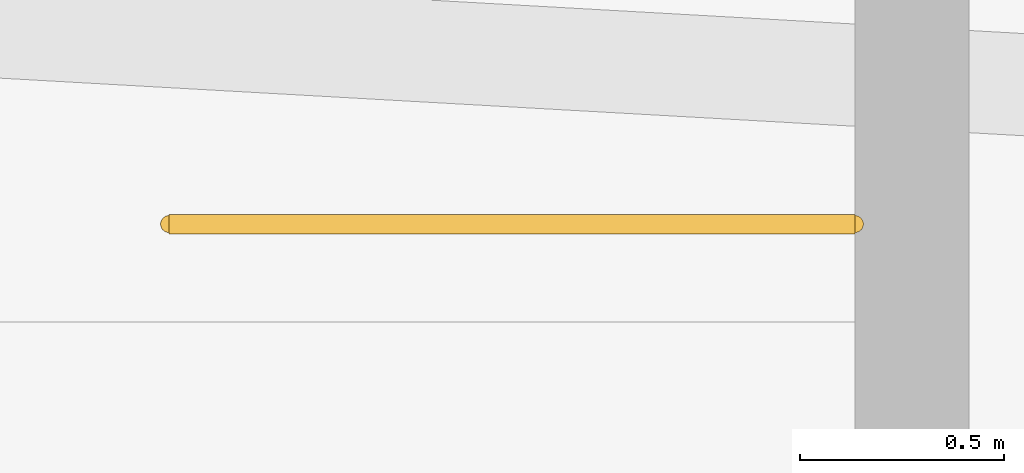
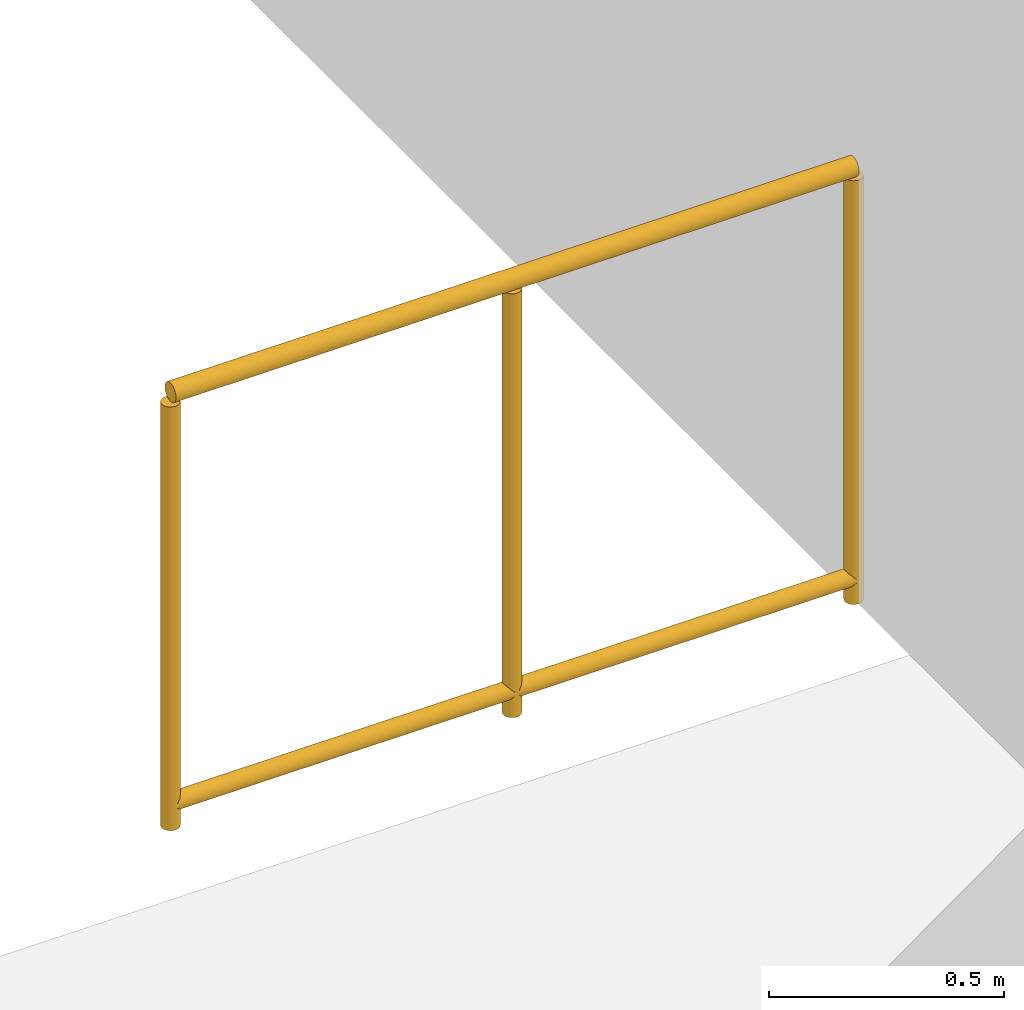
# One storey, part 23 of 23: 1 railing.
"""IFC4 building model written with IfcOpenShell, lengths in metres."""

from ifc_helpers import new_model, si_unit, direction, frame, origin, origin_2d, place, context, subcontext, project, spatial, circle, extrude, material, type_object, element, save


model = new_model("IFC4")

# Units and contexts
model_context = context("Model", 3, precision=1e-05, world=origin(), true_north=direction((0.0, 1.0)))
body_context = subcontext(model_context, "Body", "Model", "MODEL_VIEW")
ifc_project = project(units=[si_unit("LENGTHUNIT", "METRE"), si_unit("AREAUNIT", "SQUARE_METRE"), si_unit("VOLUMEUNIT", "CUBIC_METRE"), si_unit("PLANEANGLEUNIT", "RADIAN"), si_unit("MASSUNIT", "GRAM", prefix="KILO"), si_unit("THERMODYNAMICTEMPERATUREUNIT", "KELVIN"), si_unit("POWERUNIT", "WATT")], contexts=[model_context])

# Site, building, storey
site_placement = place(None, origin())
site = spatial("IfcSite", under=ifc_project, at=site_placement, CompositionType="ELEMENT")
building_placement = place(site_placement, origin())
building = spatial("IfcBuilding", under=site, at=building_placement, Name="Skarre Station Tower", CompositionType="ELEMENT")
storey_placement = place(building_placement, frame((0.0, 0.0, 291.300048828125)))
storey = spatial("IfcBuildingStorey", under=building, at=storey_placement, Name="RF", CompositionType="ELEMENT", Elevation=291.300048828125)

# Railing
ifc_material = material(Name="Powder-Coated Tubular Steel", Category="steel")
railing_type = type_object("IfcRailingType", Name="Painted Steel Stairwell Guardrail 1100", PredefinedType="GUARDRAIL", material=ifc_material)
railing_placement = place(storey_placement, frame((20.35009765625, 19.360107421875, 0.0)))
element("IfcRailing", 1, at=railing_placement, inside=storey, type_object=railing_type, Name="RF ST-1 top well guard 1", PredefinedType="GUARDRAIL", context=body_context, shape_type="SweptSolid", body=[
    extrude(circle(Radius=0.02392578125, at=origin_2d()), frame((0.0, 0.0, 1.1259765625), z_axis=(-1.0, 0.0, 0.0), x_axis=(0.0, -1.0, 0.0)), (0.0, 0.0, 1.0), 1.68017578125),
    extrude(circle(Radius=0.02099609375, at=origin_2d()), frame((0.0, 0.0, 0.06005859375), z_axis=(-1.0, 0.0, 0.0), x_axis=(0.0, -1.0, 0.0)), (0.0, 0.0, 1.0), 1.68017578125),
    extrude(circle(Radius=0.02099609375, at=origin_2d()), origin(), (0.0, 0.0, 1.0), 1.101806640625),
    extrude(circle(Radius=0.02099609375, at=origin_2d()), frame((-0.840087890625, 0.0, 0.0)), (0.0, 0.0, 1.0), 1.101806640625),
    extrude(circle(Radius=0.02099609375, at=origin_2d()), frame((-1.68017578125, 0.0, 0.0)), (0.0, 0.0, 1.0), 1.101806640625),
])

save(model, "model.ifc")
